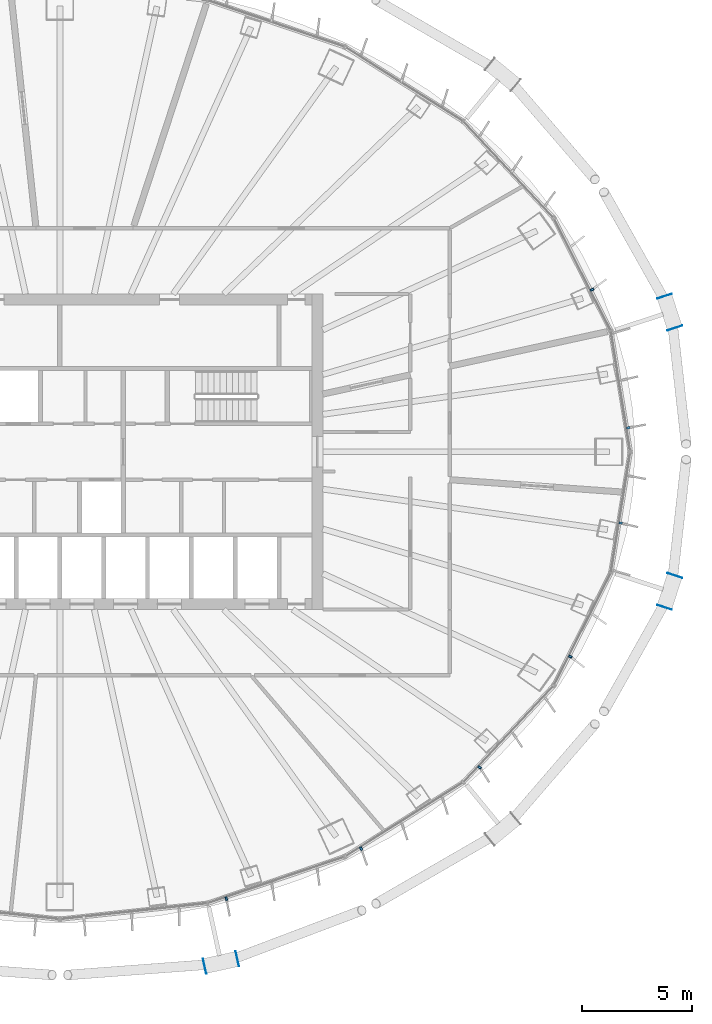
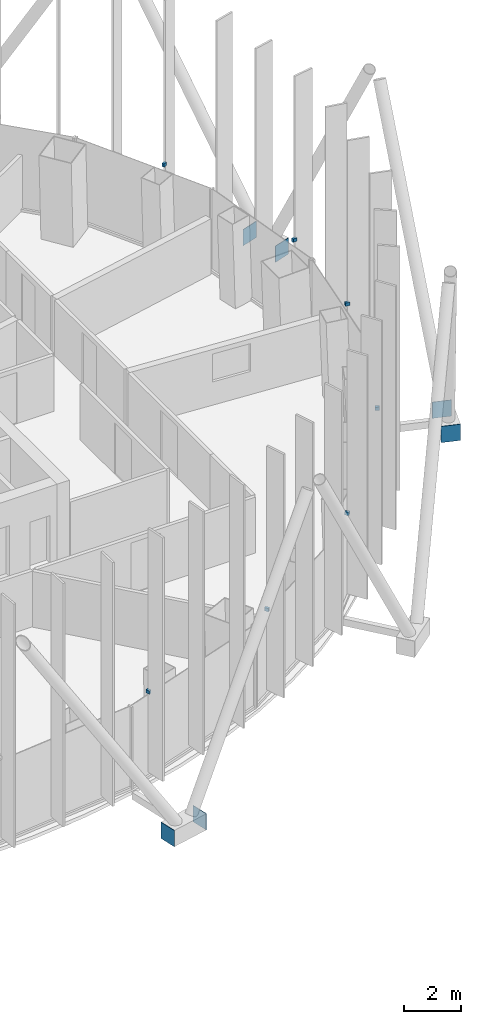
# One storey, part 14 of 19: 13 discrete accessories.
"""IFC4 building model written with IfcOpenShell, lengths in metres."""

import ifcopenshell
import ifcopenshell.guid

model = None  # the IFC model being written
_history = None  # IfcOwnerHistory: only IFC2X3 demands one
_inside = {}  # id of a spatial element -> (the spatial element, [elements in it])
_under = {}  # id of a project, library or spatial element -> (it, [spatial elements below it])
_declared = {}  # id of a project -> (the project, [libraries it declares])
_typed = {}  # id of a type object -> (the type object, [elements of that type])
_made_of = {}  # id of a material, layer set ... -> (it, [elements and type objects made of it])


def new_model(schema):
    """Start an empty IFC model of exactly this schema.

    Asked for "IFC4X3", IfcOpenShell would pick the latest addendum, in which some entities
    have other attributes; the version numbers below select the first issue.
    IFC2X3 requires an IfcOwnerHistory on every rooted entity: one is made here for all.
    """
    global model, _history
    if schema == "IFC4X3":
        model = ifcopenshell.file(schema_version=(4, 3, 0, 0))
    else:
        model = ifcopenshell.file(schema=schema)
    _inside.clear()
    _under.clear()
    _declared.clear()
    _typed.clear()
    _made_of.clear()
    _history = None
    if model.schema == "IFC2X3":
        org = make("IfcOrganization", Name="unknown")
        user = make(
            "IfcPersonAndOrganization",
            ThePerson=make("IfcPerson", FamilyName="unknown"),
            TheOrganization=org,
        )
        app = make(
            "IfcApplication",
            ApplicationDeveloper=org,
            Version="unknown",
            ApplicationFullName="unknown",
            ApplicationIdentifier="unknown",
        )
        _history = make(
            "IfcOwnerHistory",
            OwningUser=user,
            OwningApplication=app,
            ChangeAction="ADDED",
            CreationDate=0,
        )
    return model


def make(cls, **values):
    """One entity of the class cls with the attributes given. An attribute that is None is left unset."""
    return model.create_entity(
        cls, **{name: value for name, value in values.items() if value is not None}
    )


def rooted(cls, **values):
    """An entity with a GlobalId (a new one), such as an element, a storey or a relation."""
    return make(cls, GlobalId=ifcopenshell.guid.new(), OwnerHistory=_history, **values)


def si_unit(unit_type, name, prefix=None):
    """IfcSIUnit, for example si_unit("LENGTHUNIT", "METRE", prefix="MILLI")."""
    return make("IfcSIUnit", UnitType=unit_type, Prefix=prefix, Name=name)


def assignment(units):
    """IfcUnitAssignment: the units of a project."""
    return None if units is None else make("IfcUnitAssignment", Units=units)


def point(xyz):
    """IfcCartesianPoint."""
    return None if xyz is None else make("IfcCartesianPoint", Coordinates=xyz)


def direction(xyz):
    """IfcDirection."""
    return None if xyz is None else make("IfcDirection", DirectionRatios=xyz)


def frame(location, z_axis=None, x_axis=None):
    """IfcAxis2Placement3D, a coordinate frame: its origin and axes. An axis left out is left unset."""
    return make(
        "IfcAxis2Placement3D",
        Location=point(location),
        Axis=direction(z_axis),
        RefDirection=direction(x_axis),
    )


def frame_2d(location, x_axis=None):
    """IfcAxis2Placement2D, a coordinate frame in the plane: its origin and x axis."""
    return make(
        "IfcAxis2Placement2D", Location=point(location), RefDirection=direction(x_axis)
    )


def origin():
    """The frame at (0, 0, 0) with its axes left unset."""
    return frame((0.0, 0.0, 0.0))


def origin_2d():
    """The frame at (0, 0) in the plane with its x axis left unset."""
    return frame_2d((0.0, 0.0))


def place(relative_to, where):
    """IfcLocalPlacement: puts the frame where relative to a parent placement (None: the world)."""
    return make(
        "IfcLocalPlacement", PlacementRelTo=relative_to, RelativePlacement=where
    )


def context(
    kind, dimensions, precision=None, world=None, true_north=None, identifier=None
):
    """IfcGeometricRepresentationContext, for example the 3D "Model" context."""
    return make(
        "IfcGeometricRepresentationContext",
        ContextIdentifier=identifier,
        ContextType=kind,
        CoordinateSpaceDimension=dimensions,
        Precision=precision,
        WorldCoordinateSystem=world,
        TrueNorth=true_north,
    )


def subcontext(parent, identifier, kind, view, scale=None):
    """IfcGeometricRepresentationSubContext, for example "Body" below "Model"."""
    return make(
        "IfcGeometricRepresentationSubContext",
        ContextIdentifier=identifier,
        ContextType=kind,
        ParentContext=parent,
        TargetScale=scale,
        TargetView=view,
    )


def project(units=None, contexts=None):
    """IfcProject with its units and contexts."""
    return rooted(
        "IfcProject",
        Name="project",
        RepresentationContexts=contexts,
        UnitsInContext=assignment(units),
    )


def spatial(cls, under=None, at=None, **own):
    """A site, building, storey or space (cls), placed at a placement, below another one or the project."""
    s = rooted(cls, ObjectPlacement=at, **own)
    if under is not None:
        _under.setdefault(under.id(), (under, []))[1].append(s)
    return s


def profile(cls, at=None, kind="AREA", **sizes):
    """A parametric profile (cls). Its sizes go by their IFC names, for example OverallWidth=200.0."""
    return make(cls, ProfileType=kind, Position=at, **sizes)


def rectangle(**sizes):
    """IfcRectangleProfileDef."""
    return profile("IfcRectangleProfileDef", **sizes)


def extrude(swept, where, along, depth):
    """IfcExtrudedAreaSolid: the profile swept, set in the frame where, extruded along a direction by depth."""
    return make(
        "IfcExtrudedAreaSolid",
        SweptArea=swept,
        Position=where,
        ExtrudedDirection=direction(along),
        Depth=depth,
    )


def shape(context_of_items, identifier, shape_type, items):
    """IfcShapeRepresentation: the items that make up one representation, for example the "Body"."""
    return make(
        "IfcShapeRepresentation",
        ContextOfItems=context_of_items,
        RepresentationIdentifier=identifier,
        RepresentationType=shape_type,
        Items=items,
    )


def material(Name=None, Category=None):
    """IfcMaterial."""
    return make("IfcMaterial", Name=Name, Category=Category)


def layer(
    of_material, thickness, ventilated=None, Name=None, Category=None, Priority=None
):
    """IfcMaterialLayer: one layer of a wall or slab, of a material (None: an air gap)."""
    return make(
        "IfcMaterialLayer",
        Material=of_material,
        LayerThickness=thickness,
        IsVentilated=ventilated,
        Name=Name,
        Category=Category,
        Priority=Priority,
    )


def layer_set(layers, Name=None):
    """IfcMaterialLayerSet."""
    return make("IfcMaterialLayerSet", MaterialLayers=layers, LayerSetName=Name)


def made_of(thing, what):
    """Note that an element or type object is made of a material, layer set ...; save() writes the relation."""
    if what is not None:
        _made_of.setdefault(what.id(), (what, []))[1].append(thing)
    return thing


def type_object(cls, material=None, **own):
    """A type object (cls), such as IfcWallType, which elements share."""
    return made_of(rooted(cls, **own), material)


def element(
    cls,
    number,
    at=None,
    inside=None,
    cuts=None,
    type_object=None,
    material=None,
    context=None,
    identifier="Body",
    shape_type=None,
    held_by="IfcProductDefinitionShape",
    body=None,
    shapes=None,
    **own,
):
    """One element of the class cls, such as IfcWall. Its Tag is "e" and its number.

    at: its placement. inside: the storey or other place that contains it. cuts: it is an
    opening in that element (IfcRelVoidsElement). A single representation is given by context,
    identifier, shape_type and body (its items); several are given by shapes. held_by: the class
    of the entity that holds the representations. save() writes the other relations.
    """
    e = rooted(cls, Tag="e%d" % number, ObjectPlacement=at, **own)
    if body is not None:
        shapes = [shape(context, identifier, shape_type, body)]
    if shapes is not None:
        e.Representation = make(held_by, Representations=shapes)
    if inside is not None:
        _inside.setdefault(inside.id(), (inside, []))[1].append(e)
    if cuts is not None:
        rooted(
            "IfcRelVoidsElement", RelatingBuildingElement=cuts, RelatedOpeningElement=e
        )
    if type_object is not None:
        _typed.setdefault(type_object.id(), (type_object, []))[1].append(e)
    return made_of(e, material)


def aggregate(whole, parts):
    """IfcRelAggregates: a whole, such as a stair, and the parts it consists of."""
    return rooted("IfcRelAggregates", RelatingObject=whole, RelatedObjects=parts)


def save(model, path):
    """Write the relations noted so far, then the file.

    IfcRelAggregates (storeys below a building ...), IfcRelContainedInSpatialStructure (elements
    in a storey), IfcRelDefinesByType, IfcRelAssociatesMaterial and IfcRelDeclares: one each for
    every whole, place, type object, material and project.
    """
    for whole, parts in _under.values():
        aggregate(whole, parts)
    for where, things in _inside.values():
        rooted(
            "IfcRelContainedInSpatialStructure",
            RelatedElements=things,
            RelatingStructure=where,
        )
    for kind, things in _typed.values():
        rooted("IfcRelDefinesByType", RelatedObjects=things, RelatingType=kind)
    for what, things in _made_of.values():
        rooted("IfcRelAssociatesMaterial", RelatedObjects=things, RelatingMaterial=what)
    for by, libraries in _declared.values():
        rooted("IfcRelDeclares", RelatingContext=by, RelatedDefinitions=libraries)
    model.write(path)


model = new_model("IFC4")

# Units and contexts
model_context = context("Model", 3, precision=1e-05, world=origin(), true_north=direction((0.0, 1.0)))
body_context = subcontext(model_context, "Body", "Model", "MODEL_VIEW")
ifc_project = project(units=[si_unit("LENGTHUNIT", "METRE"), si_unit("AREAUNIT", "SQUARE_METRE"), si_unit("VOLUMEUNIT", "CUBIC_METRE"), si_unit("PLANEANGLEUNIT", "RADIAN"), si_unit("MASSUNIT", "GRAM", prefix="KILO")], contexts=[model_context])

# Site, building, storey
site_placement = place(None, origin())
site = spatial("IfcSite", under=ifc_project, at=site_placement, CompositionType="ELEMENT")
building_placement = place(site_placement, origin())
building = spatial("IfcBuilding", under=site, at=building_placement, Name="Siaravel Broadcast Tower", CompositionType="ELEMENT")
storey_placement = place(building_placement, frame((0.0, 0.0, 97.10009765625)))
storey = spatial("IfcBuildingStorey", under=building, at=storey_placement, Name="L22", CompositionType="ELEMENT", Elevation=97.10009765625)

# Discrete accessories
ifc_material_1 = material(Name="Stainless steel 316", Category="steel")
discrete_accessory_type_1 = type_object("IfcDiscreteAccessoryType", Name="Stainless steel fin bracket", PredefinedType="USERDEFINED", material=ifc_material_1)
for number, where, z_axis, x_axis, name in (
    (1, (25.94482421875, 1.0927734375, 3.68505859375), (0.0, 0.0, 1.0), (0.987329198, 0.158685394, 0.0), "Fin bracket L22-01"),
    (2, (24.29248046875, 7.4013671875, 3.68505859375), (0.0, 0.0, 1.0), (0.892392151, 0.451260732, 0.0), "Fin bracket L22-04"),
    (3, (7.597900390625, -20.404296875, 3.68505859375), (0.0, 0.0, 1.0), (0.321300635, -0.946977245, 0.0), "Fin bracket L22-55"),
    (4, (13.748779296875, -18.115234375, 3.68505859375), (0.0, 0.0, 1.0), (0.532149452, -0.846650436, 0.0), "Fin bracket L22-58"),
    (5, (19.157470703125, -14.409912109375, 3.68505859375), (0.0, 0.0, 1.0), (0.729804415, -0.683655992, 0.0), "Fin bracket L22-61"),
    (6, (23.30517578125, -9.353759765625, 3.68505859375), (0.0, 0.0, 1.0), (0.892392151, -0.451260732, 0.0), "Fin bracket L22-64"),
    (7, (25.59765625, -3.253173828125, 3.68505859375), (0.0, 0.0, 1.0), (0.987329198, -0.158685394, 0.0), "Fin bracket L22-67"),
):
    element("IfcDiscreteAccessory", number, at=place(storey_placement, frame(where, z_axis=z_axis, x_axis=x_axis)), inside=storey, type_object=discrete_accessory_type_1, Name=name, ObjectType="BRACKET", PredefinedType="USERDEFINED", context=body_context, shape_type="SweptSolid", body=[
        extrude(rectangle(XDim=0.159912109375, YDim=0.10009765625, at=origin_2d()), origin(), (0.0, 0.0, 1.0), 0.139892578125),
    ])
ifc_material_2 = material(Name="Steel S355", Category="steel")
ifc_layer = layer(ifc_material_2, 0.02001953125)
ifc_layer_set = layer_set([ifc_layer], Name="Steel S355")
discrete_accessory_type_2 = type_object("IfcDiscreteAccessoryType", Name="Steel end plate 20 mm", PredefinedType="USERDEFINED", material=ifc_layer_set)
for number, where, z_axis, x_axis, name in (
    (8, (27.598388671875, 7.10107421875, -0.55029296875), (0.0, 0.0, 1.0), (-0.310908675, 0.950439791, 0.0), "End plate R10 station 03A"),
    (9, (28.072998046875, 5.64990234375, -0.55029296875), (0.0, 0.0, 1.0), (-0.310908675, 0.950439791, 0.0), "End plate R10 station 03B"),
    (10, (8.099609375, -23.15234375, -0.55029296875), (0.0, 0.0, 1.0), (0.976750917, 0.214377344, 0.0), "End plate R10 station 57A"),
    (11, (6.608154296875, -23.479736328125, -0.55029296875), (0.0, 0.0, 1.0), (0.976750917, 0.214377344, 0.0), "End plate R10 station 57B"),
    (12, (28.072998046875, -5.64990234375, -0.55029296875), (0.0, 0.0, 1.0), (0.310908675, 0.950439791, 0.0), "End plate R10 station 69A"),
    (13, (27.598388671875, -7.10107421875, -0.55029296875), (0.0, 0.0, 1.0), (0.310908675, 0.950439791, 0.0), "End plate R10 station 69B"),
):
    element("IfcDiscreteAccessory", number, at=place(storey_placement, frame(where, z_axis=z_axis, x_axis=x_axis)), inside=storey, type_object=discrete_accessory_type_2, Name=name, ObjectType="END PLATE", PredefinedType="USERDEFINED", context=body_context, shape_type="SweptSolid", body=[
        extrude(rectangle(XDim=0.02001953125, YDim=0.699951171875, at=origin_2d()), origin(), (0.0, 0.0, 1.0), 0.699951171875),
    ])

save(model, "model.ifc")
